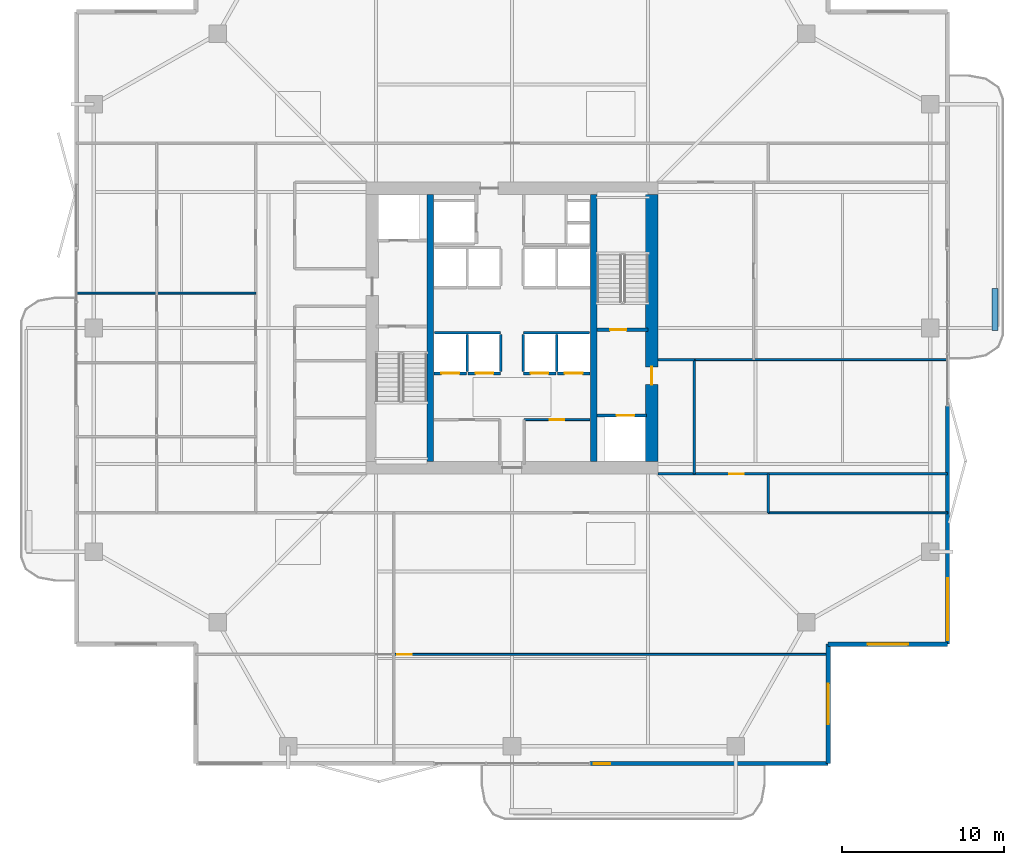
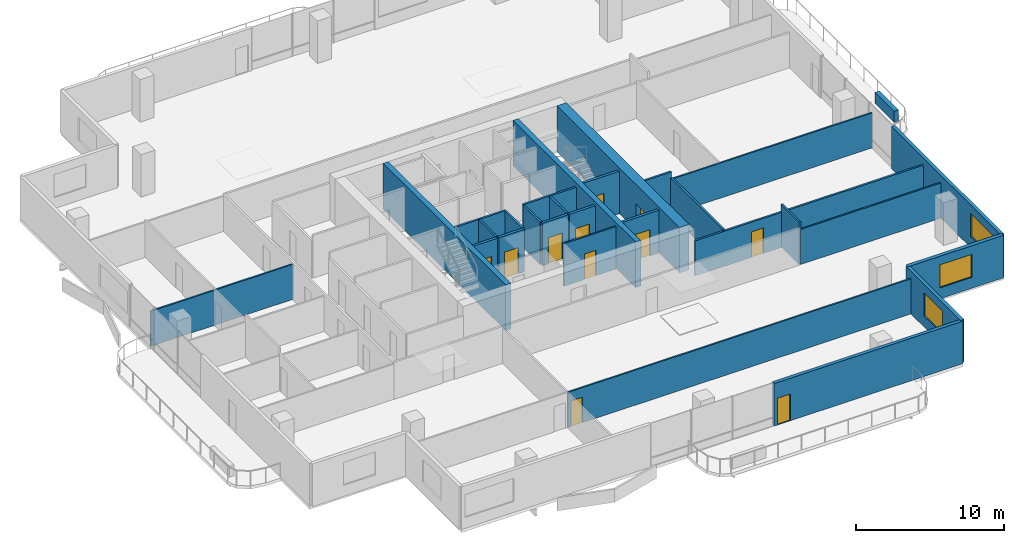
# One storey, part 18 of 24: 29 walls, 11 doors, 3 windows, 14 openings.
"""IFC4 building model written with IfcOpenShell, lengths in metres."""

from ifc_helpers import new_model, si_unit, direction, frame, frame_2d, origin, place, context, subcontext, project, spatial, rectangle, extrude, material, layer, layer_set, type_object, element, fill, save


model = new_model("IFC4")

# Units and contexts
model_context = context("Model", 3, precision=1e-05, world=origin(), true_north=direction((0.0, 1.0)))
body_context = subcontext(model_context, "Body", "Model", "MODEL_VIEW")
ifc_project = project(units=[si_unit("LENGTHUNIT", "METRE"), si_unit("AREAUNIT", "SQUARE_METRE"), si_unit("VOLUMEUNIT", "CUBIC_METRE"), si_unit("PLANEANGLEUNIT", "RADIAN"), si_unit("MASSUNIT", "GRAM", prefix="KILO")], contexts=[model_context])

# Site, building, storey
site_placement = place(None, origin())
site = spatial("IfcSite", under=ifc_project, at=site_placement, CompositionType="ELEMENT")
building_placement = place(site_placement, origin())
building = spatial("IfcBuilding", under=site, at=building_placement, Name="Belovzor Exchange Tower", CompositionType="ELEMENT")
storey_placement = place(building_placement, frame((0.0, 0.0, 214.949951171875)))
storey = spatial("IfcBuildingStorey", under=building, at=storey_placement, Name="L53", CompositionType="ELEMENT", Elevation=214.949951171875)

# Wall, opening, door
ifc_material_1 = material(Name="Acoustic Plasterboard on Galvanised Studs", Category="gypsum")
ifc_layer_1 = layer(ifc_material_1, 0.1201171875)
ifc_layer_set_1 = layer_set([ifc_layer_1], Name="Acoustic Plasterboard on Galvanised Studs")
wall_type_1 = type_object("IfcWallType", Name="Acoustic Double-Stud Partition Wall 120", PredefinedType="PARTITIONING", material=ifc_layer_set_1)
wall_1_placement = place(storey_placement, frame((21.510009765625, 8.6650390625, 0.0), z_axis=(0.0, 0.0, 1.0), x_axis=(1.0, 0.0, 0.0)))
wall_1 = element("IfcWall", 1, at=wall_1_placement, inside=storey, type_object=wall_type_1, Name="W-P120 Partition Wall W-L53-SHDIV-1", PredefinedType="PARTITIONING", context=body_context, shape_type="SweptSolid", body=[
    extrude(rectangle(XDim=26.7900390625, YDim=0.1201171875, at=frame_2d((13.39501953125, 0.0))), origin(), (0.0, 0.0, 1.0), 2.885009765625),
])
opening_1_placement = place(wall_1_placement, frame((0.199951171875, 0.0, 0.0)))
opening_1 = element("IfcOpeningElement", 2, at=opening_1_placement, cuts=wall_1, Name="Opening D-INT-090", PredefinedType="OPENING", context=body_context, shape_type="SweptSolid", body=[
    extrude(rectangle(XDim=0.89990234375, YDim=2.10009765625, at=frame_2d((0.449951171875, 1.050048828125))), frame((0.0, 0.070068359375, 0.0), z_axis=(0.0, -1.0, 0.0), x_axis=(1.0, 0.0, 0.0)), (0.0, 0.0, 1.0), 0.14013671875),
])
ifc_material_2 = material(Name="Veneered Hardwood Acoustic Leaf", Category="wood")
door_type_1 = type_object("IfcDoorType", Name="Trading Suite Acoustic Single Door 900x2100", OperationType="NOTDEFINED", PredefinedType="DOOR", material=ifc_material_2)
door_1_placement = place(opening_1_placement, origin())
door_1 = element("IfcDoor", 3, at=door_1_placement, inside=storey, type_object=door_type_1, Name="D-INT-090 Trading Suite Acoustic Single Door 900x2100", OperationType="SINGLE_SWING_LEFT", OverallHeight=2.10009765625, OverallWidth=0.89990234375, PredefinedType="DOOR", context=body_context, shape_type="SweptSolid", body=[
    extrude(rectangle(XDim=0.89990234375, YDim=2.10009765625, at=frame_2d((0.449951171875, 1.050048828125))), frame((0.0, 0.02490234375, 0.0), z_axis=(0.0, -1.0, 0.0), x_axis=(1.0, 0.0, 0.0)), (0.0, 0.0, 1.0), 0.050048828125),
])
fill(opening_1, door_1)

# Walls
wall_2_placement = place(storey_placement, frame((1.929931640625, 30.955078125, 0.0), z_axis=(0.0, 0.0, 1.0), x_axis=(1.0, 0.0, 0.0)))
element("IfcWall", 4, at=wall_2_placement, inside=storey, type_object=wall_type_1, Name="W-P120 Partition Wall W-L53-WDIV-3", PredefinedType="PARTITIONING", context=body_context, shape_type="SweptSolid", body=[
    extrude(rectangle(XDim=11.070068359375, YDim=0.1201171875, at=frame_2d((5.53515625, 0.0))), origin(), (0.0, 0.0, 1.0), 2.885009765625),
])
wall_3_placement = place(storey_placement, frame((40.050048828125, 26.85009765625, 0.0), z_axis=(0.0, 0.0, 1.0), x_axis=(1.0, 0.0, 0.0)))
element("IfcWall", 5, at=wall_3_placement, inside=storey, type_object=wall_type_1, Name="W-P120 Partition Wall W-L53-EDIV-1", PredefinedType="PARTITIONING", context=body_context, shape_type="SweptSolid", body=[
    extrude(rectangle(XDim=15.619873046875, YDim=0.1201171875, at=frame_2d((7.81005859375, 0.0))), origin(), (0.0, 0.0, 1.0), 2.885009765625),
])
wall_4_placement = place(storey_placement, frame((44.60009765625, 17.39990234375, 0.0), z_axis=(0.0, 0.0, 1.0), x_axis=(1.0, 0.0, 0.0)))
element("IfcWall", 6, at=wall_4_placement, inside=storey, type_object=wall_type_1, Name="W-P120 Partition Wall W-L53-END-SE", PredefinedType="PARTITIONING", context=body_context, shape_type="SweptSolid", body=[
    extrude(rectangle(XDim=11.06982421875, YDim=0.1201171875, at=frame_2d((5.534912109375, 0.0))), origin(), (0.0, 0.0, 1.0), 2.885009765625),
])

# Wall, opening, door
ifc_material_3 = material(Name="Fire-Rated Plasterboard on Galvanised Studs", Category="gypsum")
ifc_layer_2 = layer(ifc_material_3, 0.1201171875)
ifc_layer_set_2 = layer_set([ifc_layer_2], Name="Fire-Rated Plasterboard on Galvanised Studs")
wall_type_2 = type_object("IfcWallType", Name="Fire-Rated Double-Stud Partition Wall 120", PredefinedType="PARTITIONING", material=ifc_layer_set_2)
wall_5_placement = place(storey_placement, frame((29.550048828125, 23.14990234375, 0.0), z_axis=(0.0, 0.0, 1.0), x_axis=(1.0, 0.0, 0.0)))
wall_5 = element("IfcWall", 7, at=wall_5_placement, inside=storey, type_object=wall_type_2, Name="W-P120F Partition Wall W-CRL-L53-EN", PredefinedType="PARTITIONING", context=body_context, shape_type="SweptSolid", body=[
    extrude(rectangle(XDim=4.050048828125, YDim=0.1201171875, at=frame_2d((2.02490234375, 0.0))), origin(), (0.0, 0.0, 1.0), 3.5),
])
opening_2_placement = place(wall_5_placement, frame((1.574951171875, 0.0, 0.0)))
opening_2 = element("IfcOpeningElement", 8, at=opening_2_placement, cuts=wall_5, Name="Opening D-FD60-090", PredefinedType="OPENING", context=body_context, shape_type="SweptSolid", body=[
    extrude(rectangle(XDim=0.89990234375, YDim=2.10009765625, at=frame_2d((0.449951171875, 1.050048828125))), frame((0.0, 0.070068359375, 0.0), z_axis=(0.0, -1.0, 0.0), x_axis=(1.0, 0.0, 0.0)), (0.0, 0.0, 1.0), 0.14013671875),
])
ifc_material_4 = material(Name="Acoustic Timber Fire Leaf", Category="wood")
door_type_2 = type_object("IfcDoorType", Name="Core Service & Restroom Fire Door 900x2100", OperationType="NOTDEFINED", PredefinedType="DOOR", material=ifc_material_4)
door_2_placement = place(opening_2_placement, origin())
door_2 = element("IfcDoor", 9, at=door_2_placement, inside=storey, type_object=door_type_2, Name="D-FD60-090 Core Service & Restroom Fire Door 900x2100", OperationType="SINGLE_SWING_RIGHT", OverallHeight=2.10009765625, OverallWidth=0.89990234375, PredefinedType="DOOR", context=body_context, shape_type="SweptSolid", body=[
    extrude(rectangle(XDim=0.89990234375, YDim=2.10009765625, at=frame_2d((0.449951171875, 1.050048828125))), frame((0.0, 0.02490234375, 0.0), z_axis=(0.0, -1.0, 0.0), x_axis=(1.0, 0.0, 0.0)), (0.0, 0.0, 1.0), 0.050048828125),
])
fill(opening_2, door_2)

# Walls
ifc_material_5 = material(Name="Fire-Rated Gypsum Block and Mineral Wool", Category="gypsum")
ifc_layer_3 = layer(ifc_material_5, 0.14990234375)
ifc_layer_set_3 = layer_set([ifc_layer_3], Name="Fire-Rated Gypsum Block and Mineral Wool")
wall_type_3 = type_object("IfcWallType", Name="Fire-Rated Gypsum Block Corridor Wall 150", PredefinedType="PARTITIONING", material=ifc_layer_set_3)
wall_6_placement = place(storey_placement, frame((37.800048828125, 26.85009765625, 0.0), z_axis=(0.0, 0.0, 1.0), x_axis=(1.0, 0.0, 0.0)))
element("IfcWall", 10, at=wall_6_placement, inside=storey, type_object=wall_type_3, Name="W-P150 Partition Wall W-L53-CFE-N", PredefinedType="PARTITIONING", context=body_context, shape_type="SweptSolid", body=[
    extrude(rectangle(XDim=2.25, YDim=0.14990234375, at=frame_2d((1.125, 0.0))), origin(), (0.0, 0.0, 1.0), 3.5),
])
wall_7_placement = place(storey_placement, frame((40.050048828125, 19.800048828125, 0.0), z_axis=(0.0, 0.0, 1.0), x_axis=(0.0, 1.0, 0.0)))
element("IfcWall", 11, at=wall_7_placement, inside=storey, type_object=wall_type_3, Name="W-P150 Partition Wall W-L53-CFE-E", PredefinedType="PARTITIONING", context=body_context, shape_type="SweptSolid", body=[
    extrude(rectangle(XDim=7.050048828125, YDim=0.14990234375, at=frame_2d((3.52490234375, 0.0))), origin(), (0.0, 0.0, 1.0), 3.03515625),
])
wall_8_placement = place(storey_placement, frame((44.60009765625, 17.39990234375, 0.0), z_axis=(0.0, 0.0, 1.0), x_axis=(0.0, 1.0, 0.0)))
element("IfcWall", 12, at=wall_8_placement, inside=storey, type_object=wall_type_3, Name="W-P150 Partition Wall W-L53-END-ES", PredefinedType="PARTITIONING", context=body_context, shape_type="SweptSolid", body=[
    extrude(rectangle(XDim=2.400146484375, YDim=0.14990234375, at=frame_2d((1.2001953125, 0.0))), origin(), (0.0, 0.0, 1.0), 3.5),
])

# Wall, opening, door
wall_9_placement = place(storey_placement, frame((37.800048828125, 19.800048828125, 0.0), z_axis=(0.0, 0.0, 1.0), x_axis=(1.0, 0.0, 0.0)))
wall_9 = element("IfcWall", 13, at=wall_9_placement, inside=storey, type_object=wall_type_3, Name="W-P150 Partition Wall W-L53-CS-IN", PredefinedType="PARTITIONING", context=body_context, shape_type="SweptSolid", body=[
    extrude(rectangle(XDim=17.869873046875, YDim=0.14990234375, at=frame_2d((8.93505859375, 0.0))), origin(), (0.0, 0.0, 1.0), 2.885009765625),
])
opening_3_placement = place(wall_9_placement, frame((4.39990234375, 0.0, 0.0)))
opening_3 = element("IfcOpeningElement", 14, at=opening_3_placement, cuts=wall_9, Name="Opening D-INT-090", PredefinedType="OPENING", context=body_context, shape_type="SweptSolid", body=[
    extrude(rectangle(XDim=0.89990234375, YDim=2.10009765625, at=frame_2d((0.449951171875, 1.050048828125))), frame((0.0, 0.0849609375, 0.0), z_axis=(0.0, -1.0, 0.0), x_axis=(1.0, 0.0, 0.0)), (0.0, 0.0, 1.0), 0.169921875),
])
door_3_placement = place(opening_3_placement, origin())
door_3 = element("IfcDoor", 15, at=door_3_placement, inside=storey, type_object=door_type_1, Name="D-INT-090 Trading Suite Acoustic Single Door 900x2100", OperationType="SINGLE_SWING_LEFT", OverallHeight=2.10009765625, OverallWidth=0.89990234375, PredefinedType="DOOR", context=body_context, shape_type="SweptSolid", body=[
    extrude(rectangle(XDim=0.89990234375, YDim=2.10009765625, at=frame_2d((0.449951171875, 1.050048828125))), frame((0.0, 0.02490234375, 0.0), z_axis=(0.0, -1.0, 0.0), x_axis=(1.0, 0.0, 0.0)), (0.0, 0.0, 1.0), 0.050048828125),
])
fill(opening_3, door_3)

# Wall, opening, window
ifc_material_6 = material(Name="Precast concrete C40/50", Category="concrete")
ifc_layer_4 = layer(ifc_material_6, 0.280029296875)
ifc_layer_set_4 = layer_set([ifc_layer_4], Name="Precast concrete C40/50")
wall_type_4 = type_object("IfcWallType", Name="Precast Concrete Notched Corner Frame Wall 280", PredefinedType="SOLIDWALL", material=ifc_layer_set_4)
wall_10_placement = place(storey_placement, frame((55.669921875, 9.300048828125, 0.0), z_axis=(0.0, 0.0, 1.0), x_axis=(-1.0, 0.0, 0.0)))
wall_10 = element("IfcWall", 16, at=wall_10_placement, inside=storey, type_object=wall_type_4, Name="W-CRN280 Precast Concrete Notched Corner Frame Wall 280 L53", PredefinedType="SOLIDWALL", context=body_context, shape_type="SweptSolid", body=[
    extrude(rectangle(XDim=7.369873046875, YDim=0.280029296875, at=frame_2d((3.68505859375, 0.0))), origin(), (0.0, 0.0, 1.0), 3.5),
])
opening_4_placement = place(wall_10_placement, frame((2.43505859375, 0.0, 0.89990234375)))
opening_4 = element("IfcOpeningElement", 17, at=opening_4_placement, cuts=wall_10, Name="Opening WN-CRN250", PredefinedType="OPENING", context=body_context, shape_type="SweptSolid", body=[
    extrude(rectangle(XDim=2.5, YDim=1.89990234375, at=frame_2d((1.25, 0.949951171875))), frame((0.0, 0.14990234375, 0.0), z_axis=(0.0, -1.0, 0.0), x_axis=(1.0, 0.0, 0.0)), (0.0, 0.0, 1.0), 0.300048828125),
])
ifc_material_7 = material(Name="Thermally Broken Aluminium and Triple Glazing", Category="aluminium")
window_type_1 = type_object("IfcWindowType", Name="Streamline Moderne Corner Wrap Ribbon Window 2500x1900", PartitioningType="SINGLE_PANEL", PredefinedType="WINDOW", material=ifc_material_7)
window_1_placement = place(opening_4_placement, origin())
window_1 = element("IfcWindow", 18, at=window_1_placement, inside=storey, type_object=window_type_1, Name="WN-CRN250 Streamline Moderne Corner Wrap Ribbon Window 2500x1900", OverallHeight=1.89990234375, OverallWidth=2.5, PartitioningType="SINGLE_PANEL", PredefinedType="WINDOW", context=body_context, shape_type="SweptSolid", body=[
    extrude(rectangle(XDim=2.5, YDim=1.89990234375, at=frame_2d((1.25, 0.949951171875))), frame((0.0, 0.030029296875, 0.0), z_axis=(0.0, -1.0, 0.0), x_axis=(1.0, 0.0, 0.0)), (0.0, 0.0, 1.0), 0.06005859375),
])
fill(opening_4, window_1)

wall_11_placement = place(storey_placement, frame((48.300048828125, 9.300048828125, 0.0), z_axis=(0.0, 0.0, 1.0), x_axis=(0.0, -1.0, 0.0)))
wall_11 = element("IfcWall", 19, at=wall_11_placement, inside=storey, type_object=wall_type_4, Name="W-CRN280 Precast Concrete Notched Corner Frame Wall 280 L53", PredefinedType="SOLIDWALL", context=body_context, shape_type="SweptSolid", body=[
    extrude(rectangle(XDim=7.3701171875, YDim=0.280029296875, at=frame_2d((3.68505859375, 0.0))), origin(), (0.0, 0.0, 1.0), 3.5),
])
opening_5_placement = place(wall_11_placement, frame((2.43505859375, 0.0, 0.89990234375)))
opening_5 = element("IfcOpeningElement", 20, at=opening_5_placement, cuts=wall_11, Name="Opening WN-CRN250", PredefinedType="OPENING", context=body_context, shape_type="SweptSolid", body=[
    extrude(rectangle(XDim=2.5, YDim=1.89990234375, at=frame_2d((1.25, 0.949951171875))), frame((0.0, 0.14990234375, 0.0), z_axis=(0.0, -1.0, 0.0), x_axis=(1.0, 0.0, 0.0)), (0.0, 0.0, 1.0), 0.300048828125),
])
window_2_placement = place(opening_5_placement, origin())
window_2 = element("IfcWindow", 21, at=window_2_placement, inside=storey, type_object=window_type_1, Name="WN-CRN250 Streamline Moderne Corner Wrap Ribbon Window 2500x1900", OverallHeight=1.89990234375, OverallWidth=2.5, PartitioningType="SINGLE_PANEL", PredefinedType="WINDOW", context=body_context, shape_type="SweptSolid", body=[
    extrude(rectangle(XDim=2.5, YDim=1.89990234375, at=frame_2d((1.25, 0.949951171875))), frame((0.0, 0.030029296875, 0.0), z_axis=(0.0, -1.0, 0.0), x_axis=(1.0, 0.0, 0.0)), (0.0, 0.0, 1.0), 0.06005859375),
])
fill(opening_5, window_2)

# Wall, opening, door
ifc_material_8 = material(Name="Precast concrete C40/50", Category="concrete")
ifc_layer_5 = layer(ifc_material_8, 0.260009765625)
ifc_layer_set_5 = layer_set([ifc_layer_5], Name="Precast concrete C40/50")
wall_type_5 = type_object("IfcWallType", Name="Precast Concrete Perimeter Loggia Frame Wall 260", PredefinedType="SOLIDWALL", material=ifc_layer_set_5)
wall_12_placement = place(storey_placement, frame((48.300048828125, 1.929931640625, 0.0), z_axis=(0.0, 0.0, 1.0), x_axis=(-1.0, 0.0, 0.0)))
wall_12 = element("IfcWall", 22, at=wall_12_placement, inside=storey, type_object=wall_type_5, Name="W-EXT260 Precast Concrete Perimeter Loggia Frame Wall 260 L53", PredefinedType="SOLIDWALL", context=body_context, shape_type="SweptSolid", body=[
    extrude(rectangle(XDim=14.699951171875, YDim=0.260009765625, at=frame_2d((7.35009765625, 0.0))), origin(), (0.0, 0.0, 1.0), 3.5),
])
opening_6_placement = place(wall_12_placement, frame((13.449951171875, 0.0, 0.0)))
opening_6 = element("IfcOpeningElement", 23, at=opening_6_placement, cuts=wall_12, Name="Opening D-BAL100", PredefinedType="OPENING", context=body_context, shape_type="SweptSolid", body=[
    extrude(rectangle(XDim=1.0, YDim=2.199951171875, at=frame_2d((0.5, 1.10009765625))), frame((0.0, 0.139892578125, 0.0), z_axis=(0.0, -1.0, 0.0), x_axis=(1.0, 0.0, 0.0)), (0.0, 0.0, 1.0), 0.280029296875),
])
ifc_material_9 = material(Name="Thermally Broken Anodised Aluminium and Laminated Glass", Category="aluminium")
door_type_3 = type_object("IfcDoorType", Name="Planted Loggia Terrace Glazed Door 1000x2200", OperationType="SINGLE_SWING_LEFT", PredefinedType="DOOR", material=ifc_material_9)
door_4_placement = place(opening_6_placement, origin())
door_4 = element("IfcDoor", 24, at=door_4_placement, inside=storey, type_object=door_type_3, Name="D-BAL100 Balcony Terrace Door L53 S", OperationType="SINGLE_SWING_LEFT", OverallHeight=2.199951171875, OverallWidth=1.0, PredefinedType="DOOR", context=body_context, shape_type="SweptSolid", body=[
    extrude(rectangle(XDim=1.0, YDim=2.199951171875, at=frame_2d((0.5, 1.10009765625))), frame((0.0, 0.02490234375, 0.0), z_axis=(0.0, -1.0, 0.0), x_axis=(1.0, 0.0, 0.0)), (0.0, 0.0, 1.0), 0.050048828125),
])
fill(opening_6, door_4)

# Wall, opening, window
wall_13_placement = place(storey_placement, frame((55.669921875, 24.0, 0.0), z_axis=(0.0, 0.0, 1.0), x_axis=(0.0, -1.0, 0.0)))
wall_13 = element("IfcWall", 25, at=wall_13_placement, inside=storey, type_object=wall_type_5, Name="W-EXT260 Precast Concrete Perimeter Loggia Frame Wall 260 L53", PredefinedType="SOLIDWALL", context=body_context, shape_type="SweptSolid", body=[
    extrude(rectangle(XDim=14.699951171875, YDim=0.260009765625, at=frame_2d((7.35009765625, 0.0))), origin(), (0.0, 0.0, 1.0), 3.5),
])
opening_7_placement = place(wall_13_placement, frame((10.64990234375, 0.0, 0.89990234375)))
opening_7 = element("IfcOpeningElement", 26, at=opening_7_placement, cuts=wall_13, Name="Opening WN-RIB380", PredefinedType="OPENING", context=body_context, shape_type="SweptSolid", body=[
    extrude(rectangle(XDim=3.800048828125, YDim=1.89990234375, at=frame_2d((1.89990234375, 0.949951171875))), frame((0.0, 0.139892578125, 0.0), z_axis=(0.0, -1.0, 0.0), x_axis=(1.0, 0.0, 0.0)), (0.0, 0.0, 1.0), 0.280029296875),
])
ifc_material_10 = material(Name="Thermally Broken Aluminium and Triple Glazing", Category="aluminium")
window_type_2 = type_object("IfcWindowType", Name="Streamline Moderne Horizontal Ribbon Window 3800x1900", PartitioningType="SINGLE_PANEL", PredefinedType="WINDOW", material=ifc_material_10)
window_3_placement = place(opening_7_placement, origin())
window_3 = element("IfcWindow", 27, at=window_3_placement, inside=storey, type_object=window_type_2, Name="WN-RIB380 Streamline Moderne Horizontal Ribbon Window 3800x1900", OverallHeight=1.89990234375, OverallWidth=3.800048828125, PartitioningType="SINGLE_PANEL", PredefinedType="WINDOW", context=body_context, shape_type="SweptSolid", body=[
    extrude(rectangle(XDim=3.800048828125, YDim=1.89990234375, at=frame_2d((1.89990234375, 0.949951171875))), frame((0.0, 0.030029296875, 0.0), z_axis=(0.0, -1.0, 0.0), x_axis=(1.0, 0.0, 0.0)), (0.0, 0.0, 1.0), 0.06005859375),
])
fill(opening_7, window_3)

# Walls
ifc_material_11 = material(Name="Precast concrete C40/50", Category="concrete")
ifc_layer_6 = layer(ifc_material_11, 0.35009765625)
ifc_layer_set_6 = layer_set([ifc_layer_6], Name="Precast concrete C40/50")
wall_type_6 = type_object("IfcWallType", Name="Precast Concrete Structural Tree Planter Trough 350", PredefinedType="PARAPET", material=ifc_layer_set_6)
wall_14_placement = place(storey_placement, frame((58.60009765625, 28.64990234375, 0.0), z_axis=(0.0, 0.0, 1.0), x_axis=(0.0, 1.0, 0.0)))
element("IfcWall", 28, at=wall_14_placement, inside=storey, type_object=wall_type_6, Name="PT-350 Precast Concrete Structural Tree Planter Trough 350 L53", PredefinedType="PARAPET", context=body_context, shape_type="SweptSolid", body=[
    extrude(rectangle(XDim=2.60009765625, YDim=0.35009765625, at=frame_2d((1.300048828125, 0.0))), origin(), (0.0, 0.0, 1.0), 0.900146484375),
])
ifc_material_12 = material(Name="Concrete C50/60", Category="concrete")
ifc_layer_7 = layer(ifc_material_12, 0.39990234375)
ifc_layer_set_7 = layer_set([ifc_layer_7], Name="Concrete C50/60")
wall_type_7 = type_object("IfcWallType", Name="Reinforced Concrete Core Internal Web Wall 400", PredefinedType="SHEAR", material=ifc_layer_set_7)
for number, where, z_axis, x_axis, name in (
    (29, (23.75, 20.550048828125, 0.0), (0.0, 0.0, 1.0), (0.0, 1.0, 0.0), "CW-W040 Core Internal Web Wall L53 WL"),
    (30, (33.85009765625, 20.550048828125, 0.0), (0.0, 0.0, 1.0), (0.0, 1.0, 0.0), "CW-W040 Core Internal Web Wall L53 ER"),
):
    element("IfcWall", number, at=place(storey_placement, frame(where, z_axis=z_axis, x_axis=x_axis)), inside=storey, type_object=wall_type_7, Name=name, PredefinedType="SHEAR", context=body_context, shape_type="SweptSolid", body=[
        extrude(rectangle(XDim=16.5, YDim=0.39990234375, at=frame_2d((8.25, 0.0))), origin(), (0.0, 0.0, 1.0), 3.75),
    ])
ifc_material_13 = material(Name="Concrete C50/60", Category="concrete")
ifc_layer_8 = layer(ifc_material_13, 0.14990234375)
ifc_layer_set_8 = layer_set([ifc_layer_8], Name="Concrete C50/60")
wall_type_8 = type_object("IfcWallType", Name="Reinforced Concrete Core Riser Shear Wall 150", PredefinedType="SHEAR", material=ifc_layer_set_8)
for number, where, z_axis, x_axis, name in (
    (31, (24.02001953125, 28.5, 0.0), (0.0, 0.0, 1.0), (1.0, 0.0, 0.0), "W-C150S Core Shaft Wall W-SHB-L53-PLM-NW"),
    (32, (29.5, 28.5, 0.0), (0.0, 0.0, 1.0), (1.0, 0.0, 0.0), "W-C150S Core Shaft Wall W-SHB-L53-PLM-NE"),
):
    element("IfcWall", number, at=place(storey_placement, frame(where, z_axis=z_axis, x_axis=x_axis)), inside=storey, type_object=wall_type_8, Name=name, PredefinedType="SHEAR", context=body_context, shape_type="SweptSolid", body=[
        extrude(rectangle(XDim=4.080078125, YDim=0.14990234375, at=frame_2d((2.0400390625, 0.0))), origin(), (0.0, 0.0, 1.0), 3.5),
    ])
for number, where, z_axis, x_axis, name in (
    (33, (26.050048828125, 26.1201171875, 0.0), (0.0, 0.0, 1.0), (0.0, 1.0, 0.0), "W-C150S Core Shaft Wall W-SHD-L53-PLM-1"),
    (34, (28.10009765625, 26.1201171875, 0.0), (0.0, 0.0, 1.0), (0.0, 1.0, 0.0), "W-C150S Core Shaft Wall W-SHD-L53-PLM-2"),
    (35, (29.5, 26.1201171875, 0.0), (0.0, 0.0, 1.0), (0.0, 1.0, 0.0), "W-C150S Core Shaft Wall W-SHD-L53-PLM-3"),
    (36, (31.550048828125, 26.1201171875, 0.0), (0.0, 0.0, 1.0), (0.0, 1.0, 0.0), "W-C150S Core Shaft Wall W-SHD-L53-PLM-4"),
):
    element("IfcWall", number, at=place(storey_placement, frame(where, z_axis=z_axis, x_axis=x_axis)), inside=storey, type_object=wall_type_8, Name=name, PredefinedType="SHEAR", context=body_context, shape_type="SweptSolid", body=[
        extrude(rectangle(XDim=2.27978515625, YDim=0.14990234375, at=frame_2d((1.139892578125, 0.0))), origin(), (0.0, 0.0, 1.0), 3.5),
    ])

# Wall, opening, door
ifc_material_14 = material(Name="Concrete C50/60", Category="concrete")
ifc_layer_9 = layer(ifc_material_14, 0.199951171875)
ifc_layer_set_9 = layer_set([ifc_layer_9], Name="Concrete C50/60")
wall_type_9 = type_object("IfcWallType", Name="Reinforced Concrete Core Shaft Shear Wall 200", PredefinedType="SHEAR", material=ifc_layer_set_9)
wall_15_placement = place(storey_placement, frame((34.050048828125, 28.699951171875, 0.0), z_axis=(0.0, 0.0, 1.0), x_axis=(1.0, 0.0, 0.0)))
wall_15 = element("IfcWall", 37, at=wall_15_placement, inside=storey, type_object=wall_type_9, Name="W-C200S Core Shaft Wall W-CORE-L53-FFLE2", PredefinedType="SHEAR", context=body_context, shape_type="SweptSolid", body=[
    extrude(rectangle(XDim=3.14990234375, YDim=0.199951171875, at=frame_2d((1.574951171875, 0.0))), origin(), (0.0, 0.0, 1.0), 3.5),
])
opening_8_placement = place(wall_15_placement, frame((0.800048828125, 0.0, 0.0)))
opening_8 = element("IfcOpeningElement", 38, at=opening_8_placement, cuts=wall_15, Name="Opening D-FD90-100", PredefinedType="OPENING", context=body_context, shape_type="SweptSolid", body=[
    extrude(rectangle(XDim=1.0, YDim=2.10009765625, at=frame_2d((0.5, 1.050048828125))), frame((0.0, 0.10986328125, 0.0), z_axis=(0.0, -1.0, 0.0), x_axis=(1.0, 0.0, 0.0)), (0.0, 0.0, 1.0), 0.219970703125),
])
ifc_material_15 = material(Name="Fire-Rated Galvanised Steel Leaf", Category="steel")
door_type_4 = type_object("IfcDoorType", Name="Protected Stairwell Single Fire Door 1000x2100", OperationType="NOTDEFINED", PredefinedType="DOOR", material=ifc_material_15)
door_5_placement = place(opening_8_placement, origin())
door_5 = element("IfcDoor", 39, at=door_5_placement, inside=storey, type_object=door_type_4, Name="D-FD90-100 Protected Stairwell Single Fire Door 1000x2100", OperationType="SINGLE_SWING_LEFT", OverallHeight=2.10009765625, OverallWidth=1.0, PredefinedType="DOOR", context=body_context, shape_type="SweptSolid", body=[
    extrude(rectangle(XDim=1.0, YDim=2.10009765625, at=frame_2d((0.5, 1.050048828125))), frame((0.0, 0.02490234375, 0.0), z_axis=(0.0, -1.0, 0.0), x_axis=(1.0, 0.0, 0.0)), (0.0, 0.0, 1.0), 0.050048828125),
])
fill(opening_8, door_5)

wall_16_placement = place(storey_placement, frame((34.050048828125, 23.39990234375, 0.0), z_axis=(0.0, 0.0, 1.0), x_axis=(1.0, 0.0, 0.0)))
wall_16 = element("IfcWall", 40, at=wall_16_placement, inside=storey, type_object=wall_type_9, Name="W-C200S Core Shaft Wall W-SH-L53-FFL-02", PredefinedType="SHEAR", context=body_context, shape_type="SweptSolid", body=[
    extrude(rectangle(XDim=3.050048828125, YDim=0.199951171875, at=frame_2d((1.52490234375, 0.0))), origin(), (0.0, 0.0, 1.0), 3.5),
])
opening_9_placement = place(wall_16_placement, frame((1.199951171875, 0.0, 0.0)))
opening_9 = element("IfcOpeningElement", 41, at=opening_9_placement, cuts=wall_16, Name="Opening LD-110", PredefinedType="OPENING", context=body_context, shape_type="SweptSolid", body=[
    extrude(rectangle(XDim=1.10009765625, YDim=2.14990234375, at=frame_2d((0.550048828125, 1.074951171875))), frame((0.0, 0.10986328125, 0.0), z_axis=(0.0, -1.0, 0.0), x_axis=(1.0, 0.0, 0.0)), (0.0, 0.0, 1.0), 0.219970703125),
])
ifc_material_16 = material(Name="Stainless Steel Grade 304", Category="steel")
door_type_5 = type_object("IfcDoorType", Name="Automated Stainless Steel Lift Landing Door 1100x2150", OperationType="SLIDING_TO_RIGHT", PredefinedType="DOOR", material=ifc_material_16)
door_6_placement = place(opening_9_placement, origin())
door_6 = element("IfcDoor", 42, at=door_6_placement, inside=storey, type_object=door_type_5, Name="LD-110 Automated Stainless Steel Lift Landing Door 1100x2150", OperationType="SLIDING_TO_RIGHT", OverallHeight=2.14990234375, OverallWidth=1.10009765625, PredefinedType="DOOR", context=body_context, shape_type="SweptSolid", body=[
    extrude(rectangle(XDim=1.10009765625, YDim=2.14990234375, at=frame_2d((0.550048828125, 1.074951171875))), frame((0.0, 0.02490234375, 0.0), z_axis=(0.0, -1.0, 0.0), x_axis=(1.0, 0.0, 0.0)), (0.0, 0.0, 1.0), 0.050048828125),
])
fill(opening_9, door_6)

wall_17_placement = place(storey_placement, frame((24.0, 26.0, 0.0), z_axis=(0.0, 0.0, 1.0), x_axis=(1.0, 0.0, 0.0)))
wall_17 = element("IfcWall", 43, at=wall_17_placement, inside=storey, type_object=wall_type_9, Name="W-C200S Core Shaft Wall W-SH-L53-PL-M1", PredefinedType="SHEAR", context=body_context, shape_type="SweptSolid", body=[
    extrude(rectangle(XDim=2.0, YDim=0.199951171875, at=frame_2d((1.0, 0.0))), origin(), (0.0, 0.0, 1.0), 3.5),
])
opening_10_placement = place(wall_17_placement, frame((0.449951171875, 0.0, 0.0)))
opening_10 = element("IfcOpeningElement", 44, at=opening_10_placement, cuts=wall_17, Name="Opening LD-110", PredefinedType="OPENING", context=body_context, shape_type="SweptSolid", body=[
    extrude(rectangle(XDim=1.10009765625, YDim=2.14990234375, at=frame_2d((0.550048828125, 1.074951171875))), frame((0.0, 0.10986328125, 0.0), z_axis=(0.0, -1.0, 0.0), x_axis=(1.0, 0.0, 0.0)), (0.0, 0.0, 1.0), 0.219970703125),
])
door_7_placement = place(opening_10_placement, origin())
door_7 = element("IfcDoor", 45, at=door_7_placement, inside=storey, type_object=door_type_5, Name="LD-110 Automated Stainless Steel Lift Landing Door 1100x2150", OperationType="SLIDING_TO_RIGHT", OverallHeight=2.14990234375, OverallWidth=1.10009765625, PredefinedType="DOOR", context=body_context, shape_type="SweptSolid", body=[
    extrude(rectangle(XDim=1.10009765625, YDim=2.14990234375, at=frame_2d((0.550048828125, 1.074951171875))), frame((0.0, 0.02490234375, 0.0), z_axis=(0.0, -1.0, 0.0), x_axis=(1.0, 0.0, 0.0)), (0.0, 0.0, 1.0), 0.050048828125),
])
fill(opening_10, door_7)

wall_18_placement = place(storey_placement, frame((26.10009765625, 26.0, 0.0), z_axis=(0.0, 0.0, 1.0), x_axis=(1.0, 0.0, 0.0)))
wall_18 = element("IfcWall", 46, at=wall_18_placement, inside=storey, type_object=wall_type_9, Name="W-C200S Core Shaft Wall W-SH-L53-PL-M2", PredefinedType="SHEAR", context=body_context, shape_type="SweptSolid", body=[
    extrude(rectangle(XDim=2.0, YDim=0.199951171875, at=frame_2d((1.0, 0.0))), origin(), (0.0, 0.0, 1.0), 3.5),
])
opening_11_placement = place(wall_18_placement, frame((0.449951171875, 0.0, 0.0)))
opening_11 = element("IfcOpeningElement", 47, at=opening_11_placement, cuts=wall_18, Name="Opening LD-110", PredefinedType="OPENING", context=body_context, shape_type="SweptSolid", body=[
    extrude(rectangle(XDim=1.10009765625, YDim=2.14990234375, at=frame_2d((0.550048828125, 1.074951171875))), frame((0.0, 0.10986328125, 0.0), z_axis=(0.0, -1.0, 0.0), x_axis=(1.0, 0.0, 0.0)), (0.0, 0.0, 1.0), 0.219970703125),
])
door_8_placement = place(opening_11_placement, origin())
door_8 = element("IfcDoor", 48, at=door_8_placement, inside=storey, type_object=door_type_5, Name="LD-110 Automated Stainless Steel Lift Landing Door 1100x2150", OperationType="SLIDING_TO_RIGHT", OverallHeight=2.14990234375, OverallWidth=1.10009765625, PredefinedType="DOOR", context=body_context, shape_type="SweptSolid", body=[
    extrude(rectangle(XDim=1.10009765625, YDim=2.14990234375, at=frame_2d((0.550048828125, 1.074951171875))), frame((0.0, 0.02490234375, 0.0), z_axis=(0.0, -1.0, 0.0), x_axis=(1.0, 0.0, 0.0)), (0.0, 0.0, 1.0), 0.050048828125),
])
fill(opening_11, door_8)

wall_19_placement = place(storey_placement, frame((29.5, 26.0, 0.0), z_axis=(0.0, 0.0, 1.0), x_axis=(1.0, 0.0, 0.0)))
wall_19 = element("IfcWall", 49, at=wall_19_placement, inside=storey, type_object=wall_type_9, Name="W-C200S Core Shaft Wall W-SH-L53-PL-M3", PredefinedType="SHEAR", context=body_context, shape_type="SweptSolid", body=[
    extrude(rectangle(XDim=2.0, YDim=0.199951171875, at=frame_2d((1.0, 0.0))), origin(), (0.0, 0.0, 1.0), 3.5),
])
opening_12_placement = place(wall_19_placement, frame((0.449951171875, 0.0, 0.0)))
opening_12 = element("IfcOpeningElement", 50, at=opening_12_placement, cuts=wall_19, Name="Opening LD-110", PredefinedType="OPENING", context=body_context, shape_type="SweptSolid", body=[
    extrude(rectangle(XDim=1.10009765625, YDim=2.14990234375, at=frame_2d((0.550048828125, 1.074951171875))), frame((0.0, 0.10986328125, 0.0), z_axis=(0.0, -1.0, 0.0), x_axis=(1.0, 0.0, 0.0)), (0.0, 0.0, 1.0), 0.219970703125),
])
door_9_placement = place(opening_12_placement, origin())
door_9 = element("IfcDoor", 51, at=door_9_placement, inside=storey, type_object=door_type_5, Name="LD-110 Automated Stainless Steel Lift Landing Door 1100x2150", OperationType="SLIDING_TO_RIGHT", OverallHeight=2.14990234375, OverallWidth=1.10009765625, PredefinedType="DOOR", context=body_context, shape_type="SweptSolid", body=[
    extrude(rectangle(XDim=1.10009765625, YDim=2.14990234375, at=frame_2d((0.550048828125, 1.074951171875))), frame((0.0, 0.02490234375, 0.0), z_axis=(0.0, -1.0, 0.0), x_axis=(1.0, 0.0, 0.0)), (0.0, 0.0, 1.0), 0.050048828125),
])
fill(opening_12, door_9)

wall_20_placement = place(storey_placement, frame((31.60009765625, 26.0, 0.0), z_axis=(0.0, 0.0, 1.0), x_axis=(1.0, 0.0, 0.0)))
wall_20 = element("IfcWall", 52, at=wall_20_placement, inside=storey, type_object=wall_type_9, Name="W-C200S Core Shaft Wall W-SH-L53-PL-M4", PredefinedType="SHEAR", context=body_context, shape_type="SweptSolid", body=[
    extrude(rectangle(XDim=2.0, YDim=0.199951171875, at=frame_2d((1.0, 0.0))), origin(), (0.0, 0.0, 1.0), 3.5),
])
opening_13_placement = place(wall_20_placement, frame((0.449951171875, 0.0, 0.0)))
opening_13 = element("IfcOpeningElement", 53, at=opening_13_placement, cuts=wall_20, Name="Opening LD-110", PredefinedType="OPENING", context=body_context, shape_type="SweptSolid", body=[
    extrude(rectangle(XDim=1.10009765625, YDim=2.14990234375, at=frame_2d((0.550048828125, 1.074951171875))), frame((0.0, 0.10986328125, 0.0), z_axis=(0.0, -1.0, 0.0), x_axis=(1.0, 0.0, 0.0)), (0.0, 0.0, 1.0), 0.219970703125),
])
door_10_placement = place(opening_13_placement, origin())
door_10 = element("IfcDoor", 54, at=door_10_placement, inside=storey, type_object=door_type_5, Name="LD-110 Automated Stainless Steel Lift Landing Door 1100x2150", OperationType="SLIDING_TO_RIGHT", OverallHeight=2.14990234375, OverallWidth=1.10009765625, PredefinedType="DOOR", context=body_context, shape_type="SweptSolid", body=[
    extrude(rectangle(XDim=1.10009765625, YDim=2.14990234375, at=frame_2d((0.550048828125, 1.074951171875))), frame((0.0, 0.02490234375, 0.0), z_axis=(0.0, -1.0, 0.0), x_axis=(1.0, 0.0, 0.0)), (0.0, 0.0, 1.0), 0.050048828125),
])
fill(opening_13, door_10)

ifc_material_17 = material(Name="Concrete C50/60", Category="concrete")
ifc_layer_10 = layer(ifc_material_17, 0.75)
ifc_layer_set_10 = layer_set([ifc_layer_10], Name="Concrete C50/60")
wall_type_10 = type_object("IfcWallType", Name="Reinforced Concrete Core Shear Wall 750", PredefinedType="SHEAR", material=ifc_layer_set_10)
wall_21_placement = place(storey_placement, frame((37.425048828125, 20.550048828125, 0.0), z_axis=(0.0, 0.0, 1.0), x_axis=(0.0, 1.0, 0.0)))
wall_21 = element("IfcWall", 55, at=wall_21_placement, inside=storey, type_object=wall_type_10, Name="CW-S075 Core Shear Wall L53 E", PredefinedType="SHEAR", context=body_context, shape_type="SweptSolid", body=[
    extrude(rectangle(XDim=16.5, YDim=0.75, at=frame_2d((8.25, 0.0))), origin(), (0.0, 0.0, 1.0), 3.75),
])
opening_14_placement = place(wall_21_placement, frame((4.75, 0.0, 0.0)))
opening_14 = element("IfcOpeningElement", 56, at=opening_14_placement, cuts=wall_21, Name="Opening D-FD90-110", PredefinedType="OPENING", context=body_context, shape_type="SweptSolid", body=[
    extrude(rectangle(XDim=1.10009765625, YDim=2.14990234375, at=frame_2d((0.550048828125, 1.074951171875))), frame((0.0, 0.385009765625, 0.0), z_axis=(0.0, -1.0, 0.0), x_axis=(1.0, 0.0, 0.0)), (0.0, 0.0, 1.0), 0.77001953125),
])
ifc_material_18 = material(Name="Fire-Rated Galvanised Steel Leaf", Category="steel")
door_type_6 = type_object("IfcDoorType", Name="Protected Escape Vestibule Fire Door 1100x2150", OperationType="NOTDEFINED", PredefinedType="DOOR", material=ifc_material_18)
door_11_placement = place(opening_14_placement, origin())
door_11 = element("IfcDoor", 57, at=door_11_placement, inside=storey, type_object=door_type_6, Name="D-FD90-110 Protected Escape Vestibule Fire Door 1100x2150", OperationType="SINGLE_SWING_RIGHT", OverallHeight=2.14990234375, OverallWidth=1.10009765625, PredefinedType="DOOR", context=body_context, shape_type="SweptSolid", body=[
    extrude(rectangle(XDim=1.10009765625, YDim=2.14990234375, at=frame_2d((0.550048828125, 1.074951171875))), frame((0.0, 0.02490234375, 0.0), z_axis=(0.0, -1.0, 0.0), x_axis=(1.0, 0.0, 0.0)), (0.0, 0.0, 1.0), 0.050048828125),
])
fill(opening_14, door_11)

save(model, "model.ifc")
